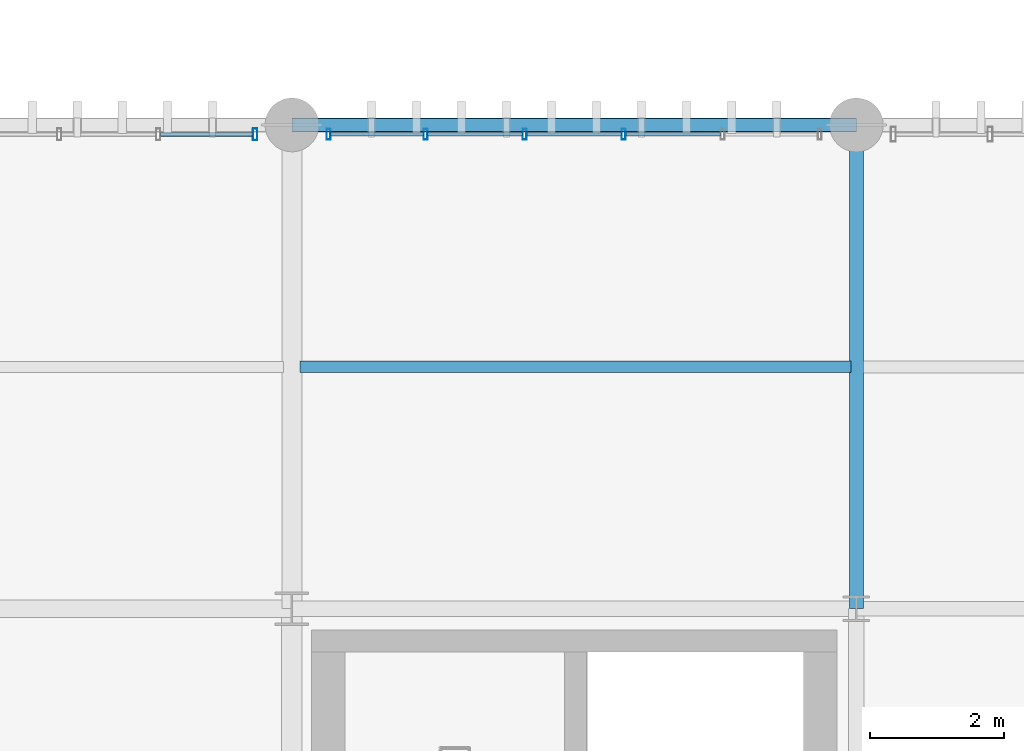
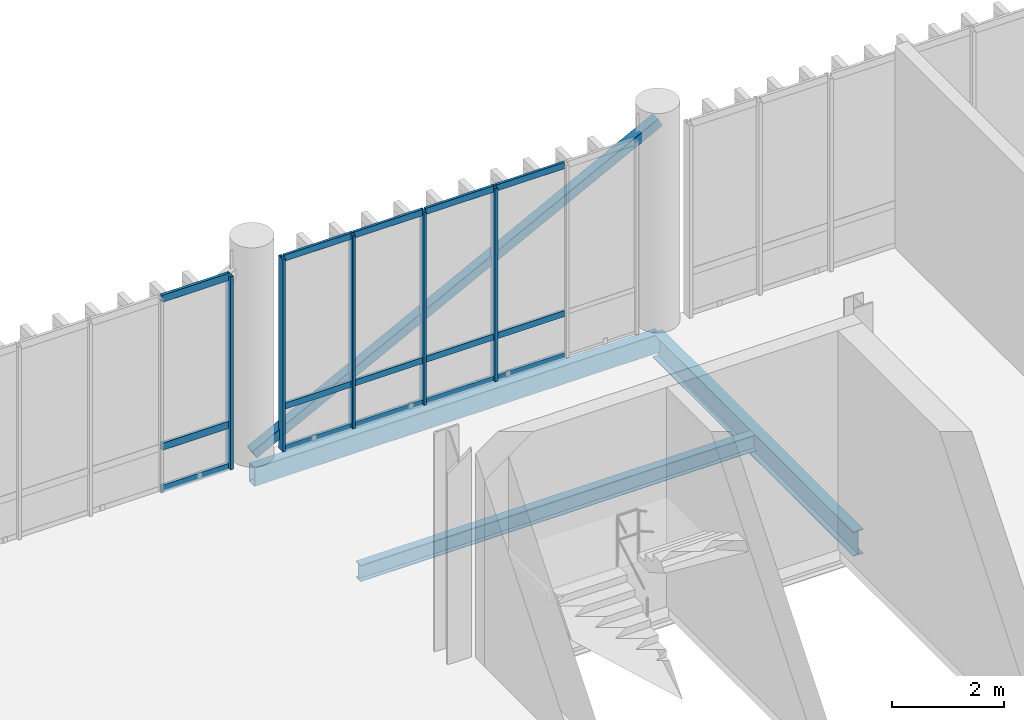
# One storey, part 57 of 109: 21 members, 3 beams, 2 elements without a shape of their own.
"""IFC4 building model written with IfcOpenShell, lengths in metres."""

from ifc_helpers import new_model, si_unit, direction, frame, origin_with_axes, origin_2d_with_axis, place, context, subcontext, project, spatial, hollow_rectangle, i_section, extrude, material, material_profile, profile_set, type_object, element, aggregate, save


model = new_model("IFC4")

# Units and contexts
model_context = context("Model", 3, precision=1e-05, world=origin_with_axes(), true_north=direction((0.0, 1.0)))
body_context = subcontext(model_context, "Body", "Model", "MODEL_VIEW")
ifc_project = project(units=[si_unit("LENGTHUNIT", "METRE"), si_unit("AREAUNIT", "SQUARE_METRE"), si_unit("VOLUMEUNIT", "CUBIC_METRE"), si_unit("PLANEANGLEUNIT", "RADIAN"), si_unit("MASSUNIT", "GRAM", prefix="KILO"), si_unit("THERMODYNAMICTEMPERATUREUNIT", "KELVIN")], contexts=[model_context])

# Site, building, storey
site_placement = place(None, origin_with_axes())
site = spatial("IfcSite", under=ifc_project, at=site_placement, CompositionType="ELEMENT")
building_placement = place(site_placement, origin_with_axes())
building = spatial("IfcBuilding", under=site, at=building_placement, Name="Montbau Bow Law Courts", CompositionType="ELEMENT")
storey_placement = place(building_placement, frame((0.0, 0.0, 10.8), z_axis=(0.0, 0.0, 1.0), x_axis=(1.0, 0.0, 0.0)))
storey = spatial("IfcBuildingStorey", under=building, at=storey_placement, Name="L02", CompositionType="ELEMENT", Elevation=10.8)

# Beams
ifc_material_1 = material(Name="Steel CSA G40.21 Grade 350W (350 MPa)", Category="steel")
ifc_material_profile_1 = material_profile(ifc_material_1, i_section(OverallWidth=0.21, OverallDepth=0.537, WebThickness=0.0109, FlangeThickness=0.0174, at=origin_2d_with_axis()), Name="W530X101", Category="Main", Priority=0)
ifc_profile_set_1 = profile_set([ifc_material_profile_1], Name="Steel CSA G40.21 Grade 350W (350 MPa)")
beam_type_1 = type_object("IfcBeamType", Name="B-FLR-06", PredefinedType="BEAM", material=ifc_profile_set_1)
beam_1_placement = place(None, frame((88.8, 54.6, 10.292), z_axis=(0.0, 1.0, 0.0), x_axis=(-1.0, 0.0, 0.0)))
element("IfcBeam", 1, at=beam_1_placement, inside=storey, type_object=beam_type_1, Name="BM-L02-S0871:bm2_0874", PredefinedType="BEAM", context=body_context, shape_type="SweptSolid", body=[
    extrude(i_section(OverallWidth=0.21, OverallDepth=0.537, WebThickness=0.0109, FlangeThickness=0.0174, at=origin_2d_with_axis()), origin_with_axes(), (0.0, 0.0, 1.0), 7.2),
])
ifc_material_profile_2 = material_profile(ifc_material_1, i_section(OverallWidth=0.172, OverallDepth=0.358, WebThickness=0.0079, FlangeThickness=0.0131, at=origin_2d_with_axis()), Name="W360X57", Category="Main", Priority=0)
ifc_profile_set_2 = profile_set([ifc_material_profile_2], Name="Steel CSA G40.21 Grade 350W (350 MPa)")
beam_type_2 = type_object("IfcBeamType", Name="B-JST-03", PredefinedType="JOIST", material=ifc_profile_set_2)
beam_2_placement = place(None, frame((80.523, 58.2, 10.381), z_axis=(1.0, 0.0, 0.0), x_axis=(0.0, 1.0, 0.0)))
element("IfcBeam", 2, at=beam_2_placement, inside=storey, type_object=beam_type_2, Name="JST-L02-S0450:jst2_0450", PredefinedType="JOIST", context=body_context, shape_type="SweptSolid", body=[
    extrude(i_section(OverallWidth=0.172, OverallDepth=0.358, WebThickness=0.0079, FlangeThickness=0.0131, at=origin_2d_with_axis()), origin_with_axes(), (0.0, 0.0, 1.0), 8.196),
])
ifc_material_2 = material(Name="Steel CSA G40.21 Grade 350WT (350 MPa)", Category="steel")
ifc_material_profile_3 = material_profile(ifc_material_2, hollow_rectangle(XDim=0.203, YDim=0.406, WallThickness=0.0127, InnerFilletRadius=0.0254, OuterFilletRadius=0.0127, at=origin_2d_with_axis()), Name="HSS406X203X13", Category="Main", Priority=0)
ifc_profile_set_3 = profile_set([ifc_material_profile_3], Name="Steel CSA G40.21 Grade 350WT (350 MPa)")
beam_type_3 = type_object("IfcBeamType", Name="B-SPN-01", PredefinedType="SPANDREL", material=ifc_profile_set_3)
beam_3_placement = place(None, frame((80.4, 61.8, 10.357), z_axis=(1.0, 0.0, 0.0), x_axis=(0.0, 1.0, 0.0)))
element("IfcBeam", 3, at=beam_3_placement, inside=storey, type_object=beam_type_3, Name="SPN-L02-S0855:bm2_0858", PredefinedType="SPANDREL", context=body_context, shape_type="SweptSolid", body=[
    extrude(hollow_rectangle(XDim=0.203, YDim=0.406, WallThickness=0.0127, InnerFilletRadius=0.0254, OuterFilletRadius=0.0127, at=origin_2d_with_axis()), origin_with_axes(), (0.0, 0.0, 1.0), 8.4),
])

# Member
ifc_material_profile_4 = material_profile(ifc_material_1, hollow_rectangle(XDim=0.203, YDim=0.203, WallThickness=0.0111, InnerFilletRadius=0.0222, OuterFilletRadius=0.0111, at=origin_2d_with_axis()), Name="HSS203X203X11", Category="Main", Priority=0)
ifc_profile_set_4 = profile_set([ifc_material_profile_4], Name="Steel CSA G40.21 Grade 350W (350 MPa)")
member_type_1 = type_object("IfcMemberType", Name="M-BRC-02", PredefinedType="BRACE", material=ifc_profile_set_4)
member_1_placement = place(None, frame((80.4, 61.8, 10.85), z_axis=(0.888512163, 0.0, 0.458853067), x_axis=(0.0, 1.0, 0.0)))
element("IfcMember", 4, at=member_1_placement, inside=storey, type_object=member_type_1, Name="Diagonal brace CBF-L02-046A", PredefinedType="BRACE", context=body_context, shape_type="SweptSolid", body=[
    extrude(hollow_rectangle(XDim=0.203, YDim=0.203, WallThickness=0.0111, InnerFilletRadius=0.0222, OuterFilletRadius=0.0111, at=origin_2d_with_axis()), origin_with_axes(), (0.0, 0.0, 1.0), 9.454007),
])

# Curtain wall, member
ifc_material_3 = material(Name="Thermally Broken Extruded Aluminium AA 6063-T6", Category="aluminium")
curtain_wall_type = type_object("IfcCurtainWallType", Name="CW-CRM-01", PredefinedType="NOTDEFINED", material=ifc_material_3)
curtain_wall_1_placement = place(None, frame((72.515, 61.66, 10.8), z_axis=(0.0, 0.0, 1.0), x_axis=(1.0, 0.0, 0.0)))
curtain_wall_1 = element("IfcCurtainWall", 5, at=curtain_wall_1_placement, inside=storey, type_object=curtain_wall_type, Name="CW-L02-166:cw_0166", PredefinedType="NOTDEFINED")
ifc_material_profile_5 = material_profile(ifc_material_3, hollow_rectangle(XDim=0.065, YDim=0.18, WallThickness=0.005, InnerFilletRadius=0.01, OuterFilletRadius=0.005, at=origin_2d_with_axis()), Name="CWM-180X65", Category="Main", Priority=0)
ifc_profile_set_5 = profile_set([ifc_material_profile_5], Name="Thermally Broken Extruded Aluminium AA 6063-T6")
member_type_2 = type_object("IfcMemberType", Name="M-MUL-02", PredefinedType="MULLION", material=ifc_profile_set_5)
member_2_placement = place(None, frame((79.853, 61.66, 10.8), z_axis=(0.0, 0.0, 1.0), x_axis=(1.0, 0.0, 0.0)))
member_2 = element("IfcMember", 6, at=member_2_placement, type_object=member_type_2, Name="CW-L02-166-M06:cw_0166_M06", PredefinedType="MULLION", context=body_context, shape_type="SweptSolid", body=[
    extrude(hollow_rectangle(XDim=0.065, YDim=0.18, WallThickness=0.005, InnerFilletRadius=0.01, OuterFilletRadius=0.005, at=origin_2d_with_axis()), origin_with_axes(), (0.0, 0.0, 1.0), 4.22),
])

# Curtain wall, members
curtain_wall_2_placement = place(None, frame((80.915, 61.66, 10.8), z_axis=(0.0, 0.0, 1.0), x_axis=(1.0, 0.0, 0.0)))
curtain_wall_2 = element("IfcCurtainWall", 7, at=curtain_wall_2_placement, inside=storey, type_object=curtain_wall_type, Name="CW-L02-167:cw_0167", PredefinedType="NOTDEFINED")
ifc_material_profile_6 = material_profile(ifc_material_3, hollow_rectangle(XDim=0.06, YDim=0.16, WallThickness=0.004, InnerFilletRadius=0.008, OuterFilletRadius=0.004, at=origin_2d_with_axis()), Name="CWM-160X60", Category="Main", Priority=0)
ifc_profile_set_6 = profile_set([ifc_material_profile_6], Name="Thermally Broken Extruded Aluminium AA 6063-T6")
member_type_3 = type_object("IfcMemberType", Name="M-MUL-03", PredefinedType="MULLION", material=ifc_profile_set_6)
member_3_placement = place(None, frame((80.945, 61.66, 10.8), z_axis=(0.0, 0.0, 1.0), x_axis=(1.0, 0.0, 0.0)))
member_3 = element("IfcMember", 8, at=member_3_placement, type_object=member_type_3, Name="CW-L02-167-M01:cw_0167_M01", PredefinedType="MULLION", context=body_context, shape_type="SweptSolid", body=[
    extrude(hollow_rectangle(XDim=0.06, YDim=0.16, WallThickness=0.004, InnerFilletRadius=0.008, OuterFilletRadius=0.004, at=origin_2d_with_axis()), origin_with_axes(), (0.0, 0.0, 1.0), 4.22),
])
member_4_placement = place(None, frame((82.389, 61.66, 10.8), z_axis=(0.0, 0.0, 1.0), x_axis=(1.0, 0.0, 0.0)))
member_4 = element("IfcMember", 9, at=member_4_placement, type_object=member_type_3, Name="CW-L02-167-M02:cw_0167_M02", PredefinedType="MULLION", context=body_context, shape_type="SweptSolid", body=[
    extrude(hollow_rectangle(XDim=0.06, YDim=0.16, WallThickness=0.004, InnerFilletRadius=0.008, OuterFilletRadius=0.004, at=origin_2d_with_axis()), origin_with_axes(), (0.0, 0.0, 1.0), 4.22),
])
member_5_placement = place(None, frame((83.863, 61.66, 10.8), z_axis=(0.0, 0.0, 1.0), x_axis=(1.0, 0.0, 0.0)))
member_5 = element("IfcMember", 10, at=member_5_placement, type_object=member_type_3, Name="CW-L02-167-M03:cw_0167_M03", PredefinedType="MULLION", context=body_context, shape_type="SweptSolid", body=[
    extrude(hollow_rectangle(XDim=0.06, YDim=0.16, WallThickness=0.004, InnerFilletRadius=0.008, OuterFilletRadius=0.004, at=origin_2d_with_axis()), origin_with_axes(), (0.0, 0.0, 1.0), 4.22),
])
member_6_placement = place(None, frame((85.337, 61.66, 10.8), z_axis=(0.0, 0.0, 1.0), x_axis=(1.0, 0.0, 0.0)))
member_6 = element("IfcMember", 11, at=member_6_placement, type_object=member_type_3, Name="CW-L02-167-M04:cw_0167_M04", PredefinedType="MULLION", context=body_context, shape_type="SweptSolid", body=[
    extrude(hollow_rectangle(XDim=0.06, YDim=0.16, WallThickness=0.004, InnerFilletRadius=0.008, OuterFilletRadius=0.004, at=origin_2d_with_axis()), origin_with_axes(), (0.0, 0.0, 1.0), 4.22),
])

# Member
ifc_material_profile_7 = material_profile(ifc_material_3, hollow_rectangle(XDim=0.06, YDim=0.16, WallThickness=0.004, InnerFilletRadius=0.008, OuterFilletRadius=0.004, at=origin_2d_with_axis()), Name="CWT-160X60", Category="Main", Priority=0)
ifc_profile_set_7 = profile_set([ifc_material_profile_7], Name="Thermally Broken Extruded Aluminium AA 6063-T6")
member_type_4 = type_object("IfcMemberType", Name="M-TRN-01", PredefinedType="USERDEFINED", material=ifc_profile_set_7)
member_7_placement = place(None, frame((78.445, 61.66, 10.83), z_axis=(1.0, 0.0, 0.0), x_axis=(0.0, 1.0, 0.0)))
member_7 = element("IfcMember", 12, at=member_7_placement, type_object=member_type_4, Name="CW-L02-166-T05-1:cw_0166_T05_1", ObjectType="TRANSOM", PredefinedType="USERDEFINED", context=body_context, shape_type="SweptSolid", body=[
    extrude(hollow_rectangle(XDim=0.06, YDim=0.16, WallThickness=0.004, InnerFilletRadius=0.008, OuterFilletRadius=0.004, at=origin_2d_with_axis()), origin_with_axes(), (0.0, 0.0, 1.0), 1.374),
])

member_8_placement = place(None, frame((78.445, 61.66, 11.75), z_axis=(1.0, 0.0, 0.0), x_axis=(0.0, 1.0, 0.0)))
member_8 = element("IfcMember", 13, at=member_8_placement, type_object=member_type_4, Name="CW-L02-166-T05-2:cw_0166_T05_2", ObjectType="TRANSOM", PredefinedType="USERDEFINED", context=body_context, shape_type="SweptSolid", body=[
    extrude(hollow_rectangle(XDim=0.06, YDim=0.16, WallThickness=0.004, InnerFilletRadius=0.008, OuterFilletRadius=0.004, at=origin_2d_with_axis()), origin_with_axes(), (0.0, 0.0, 1.0), 1.374),
])

member_9_placement = place(None, frame((78.445, 61.66, 14.99), z_axis=(1.0, 0.0, 0.0), x_axis=(0.0, 1.0, 0.0)))
member_9 = element("IfcMember", 14, at=member_9_placement, type_object=member_type_4, Name="CW-L02-166-T05-3:cw_0166_T05_3", ObjectType="TRANSOM", PredefinedType="USERDEFINED", context=body_context, shape_type="SweptSolid", body=[
    extrude(hollow_rectangle(XDim=0.06, YDim=0.16, WallThickness=0.004, InnerFilletRadius=0.008, OuterFilletRadius=0.004, at=origin_2d_with_axis()), origin_with_axes(), (0.0, 0.0, 1.0), 1.374),
])

aggregate(curtain_wall_1, [member_2, member_7, member_8, member_9])

ifc_material_profile_8 = material_profile(ifc_material_3, hollow_rectangle(XDim=0.055, YDim=0.14, WallThickness=0.004, InnerFilletRadius=0.008, OuterFilletRadius=0.004, at=origin_2d_with_axis()), Name="CWT-140X55", Category="Main", Priority=0)
ifc_profile_set_8 = profile_set([ifc_material_profile_8], Name="Thermally Broken Extruded Aluminium AA 6063-T6")
member_type_5 = type_object("IfcMemberType", Name="M-TRN-02", PredefinedType="USERDEFINED", material=ifc_profile_set_8)
member_10_placement = place(None, frame((80.977, 61.66, 10.828), z_axis=(1.0, 0.0, 0.0), x_axis=(0.0, 1.0, 0.0)))
member_10 = element("IfcMember", 15, at=member_10_placement, type_object=member_type_5, Name="CW-L02-167-T01-1:cw_0167_T01_1", ObjectType="TRANSOM", PredefinedType="USERDEFINED", context=body_context, shape_type="SweptSolid", body=[
    extrude(hollow_rectangle(XDim=0.055, YDim=0.14, WallThickness=0.004, InnerFilletRadius=0.008, OuterFilletRadius=0.004, at=origin_2d_with_axis()), origin_with_axes(), (0.0, 0.0, 1.0), 1.38),
])

member_11_placement = place(None, frame((80.977, 61.66, 11.75), z_axis=(1.0, 0.0, 0.0), x_axis=(0.0, 1.0, 0.0)))
member_11 = element("IfcMember", 16, at=member_11_placement, type_object=member_type_5, Name="CW-L02-167-T01-2:cw_0167_T01_2", ObjectType="TRANSOM", PredefinedType="USERDEFINED", context=body_context, shape_type="SweptSolid", body=[
    extrude(hollow_rectangle(XDim=0.055, YDim=0.14, WallThickness=0.004, InnerFilletRadius=0.008, OuterFilletRadius=0.004, at=origin_2d_with_axis()), origin_with_axes(), (0.0, 0.0, 1.0), 1.38),
])

member_12_placement = place(None, frame((80.977, 61.66, 14.992), z_axis=(1.0, 0.0, 0.0), x_axis=(0.0, 1.0, 0.0)))
member_12 = element("IfcMember", 17, at=member_12_placement, type_object=member_type_5, Name="CW-L02-167-T01-3:cw_0167_T01_3", ObjectType="TRANSOM", PredefinedType="USERDEFINED", context=body_context, shape_type="SweptSolid", body=[
    extrude(hollow_rectangle(XDim=0.055, YDim=0.14, WallThickness=0.004, InnerFilletRadius=0.008, OuterFilletRadius=0.004, at=origin_2d_with_axis()), origin_with_axes(), (0.0, 0.0, 1.0), 1.38),
])

member_13_placement = place(None, frame((82.421, 61.66, 10.828), z_axis=(1.0, 0.0, 0.0), x_axis=(0.0, 1.0, 0.0)))
member_13 = element("IfcMember", 18, at=member_13_placement, type_object=member_type_5, Name="CW-L02-167-T02-1:cw_0167_T02_1", ObjectType="TRANSOM", PredefinedType="USERDEFINED", context=body_context, shape_type="SweptSolid", body=[
    extrude(hollow_rectangle(XDim=0.055, YDim=0.14, WallThickness=0.004, InnerFilletRadius=0.008, OuterFilletRadius=0.004, at=origin_2d_with_axis()), origin_with_axes(), (0.0, 0.0, 1.0), 1.41),
])

member_14_placement = place(None, frame((82.421, 61.66, 11.75), z_axis=(1.0, 0.0, 0.0), x_axis=(0.0, 1.0, 0.0)))
member_14 = element("IfcMember", 19, at=member_14_placement, type_object=member_type_5, Name="CW-L02-167-T02-2:cw_0167_T02_2", ObjectType="TRANSOM", PredefinedType="USERDEFINED", context=body_context, shape_type="SweptSolid", body=[
    extrude(hollow_rectangle(XDim=0.055, YDim=0.14, WallThickness=0.004, InnerFilletRadius=0.008, OuterFilletRadius=0.004, at=origin_2d_with_axis()), origin_with_axes(), (0.0, 0.0, 1.0), 1.41),
])

member_15_placement = place(None, frame((82.421, 61.66, 14.992), z_axis=(1.0, 0.0, 0.0), x_axis=(0.0, 1.0, 0.0)))
member_15 = element("IfcMember", 20, at=member_15_placement, type_object=member_type_5, Name="CW-L02-167-T02-3:cw_0167_T02_3", ObjectType="TRANSOM", PredefinedType="USERDEFINED", context=body_context, shape_type="SweptSolid", body=[
    extrude(hollow_rectangle(XDim=0.055, YDim=0.14, WallThickness=0.004, InnerFilletRadius=0.008, OuterFilletRadius=0.004, at=origin_2d_with_axis()), origin_with_axes(), (0.0, 0.0, 1.0), 1.41),
])

member_16_placement = place(None, frame((83.895, 61.66, 10.828), z_axis=(1.0, 0.0, 0.0), x_axis=(0.0, 1.0, 0.0)))
member_16 = element("IfcMember", 21, at=member_16_placement, type_object=member_type_5, Name="CW-L02-167-T03-1:cw_0167_T03_1", ObjectType="TRANSOM", PredefinedType="USERDEFINED", context=body_context, shape_type="SweptSolid", body=[
    extrude(hollow_rectangle(XDim=0.055, YDim=0.14, WallThickness=0.004, InnerFilletRadius=0.008, OuterFilletRadius=0.004, at=origin_2d_with_axis()), origin_with_axes(), (0.0, 0.0, 1.0), 1.41),
])

member_17_placement = place(None, frame((83.895, 61.66, 11.75), z_axis=(1.0, 0.0, 0.0), x_axis=(0.0, 1.0, 0.0)))
member_17 = element("IfcMember", 22, at=member_17_placement, type_object=member_type_5, Name="CW-L02-167-T03-2:cw_0167_T03_2", ObjectType="TRANSOM", PredefinedType="USERDEFINED", context=body_context, shape_type="SweptSolid", body=[
    extrude(hollow_rectangle(XDim=0.055, YDim=0.14, WallThickness=0.004, InnerFilletRadius=0.008, OuterFilletRadius=0.004, at=origin_2d_with_axis()), origin_with_axes(), (0.0, 0.0, 1.0), 1.41),
])

member_18_placement = place(None, frame((83.895, 61.66, 14.992), z_axis=(1.0, 0.0, 0.0), x_axis=(0.0, 1.0, 0.0)))
member_18 = element("IfcMember", 23, at=member_18_placement, type_object=member_type_5, Name="CW-L02-167-T03-3:cw_0167_T03_3", ObjectType="TRANSOM", PredefinedType="USERDEFINED", context=body_context, shape_type="SweptSolid", body=[
    extrude(hollow_rectangle(XDim=0.055, YDim=0.14, WallThickness=0.004, InnerFilletRadius=0.008, OuterFilletRadius=0.004, at=origin_2d_with_axis()), origin_with_axes(), (0.0, 0.0, 1.0), 1.41),
])

member_19_placement = place(None, frame((85.369, 61.66, 10.828), z_axis=(1.0, 0.0, 0.0), x_axis=(0.0, 1.0, 0.0)))
member_19 = element("IfcMember", 24, at=member_19_placement, type_object=member_type_5, Name="CW-L02-167-T04-1:cw_0167_T04_1", ObjectType="TRANSOM", PredefinedType="USERDEFINED", context=body_context, shape_type="SweptSolid", body=[
    extrude(hollow_rectangle(XDim=0.055, YDim=0.14, WallThickness=0.004, InnerFilletRadius=0.008, OuterFilletRadius=0.004, at=origin_2d_with_axis()), origin_with_axes(), (0.0, 0.0, 1.0), 1.41),
])

member_20_placement = place(None, frame((85.369, 61.66, 11.75), z_axis=(1.0, 0.0, 0.0), x_axis=(0.0, 1.0, 0.0)))
member_20 = element("IfcMember", 25, at=member_20_placement, type_object=member_type_5, Name="CW-L02-167-T04-2:cw_0167_T04_2", ObjectType="TRANSOM", PredefinedType="USERDEFINED", context=body_context, shape_type="SweptSolid", body=[
    extrude(hollow_rectangle(XDim=0.055, YDim=0.14, WallThickness=0.004, InnerFilletRadius=0.008, OuterFilletRadius=0.004, at=origin_2d_with_axis()), origin_with_axes(), (0.0, 0.0, 1.0), 1.41),
])

member_21_placement = place(None, frame((85.369, 61.66, 14.992), z_axis=(1.0, 0.0, 0.0), x_axis=(0.0, 1.0, 0.0)))
member_21 = element("IfcMember", 26, at=member_21_placement, type_object=member_type_5, Name="CW-L02-167-T04-3:cw_0167_T04_3", ObjectType="TRANSOM", PredefinedType="USERDEFINED", context=body_context, shape_type="SweptSolid", body=[
    extrude(hollow_rectangle(XDim=0.055, YDim=0.14, WallThickness=0.004, InnerFilletRadius=0.008, OuterFilletRadius=0.004, at=origin_2d_with_axis()), origin_with_axes(), (0.0, 0.0, 1.0), 1.41),
])

aggregate(curtain_wall_2, [member_3, member_4, member_5, member_6, member_10, member_11, member_12, member_13, member_14, member_15, member_16, member_17, member_18, member_19, member_20, member_21])

save(model, "model.ifc")
